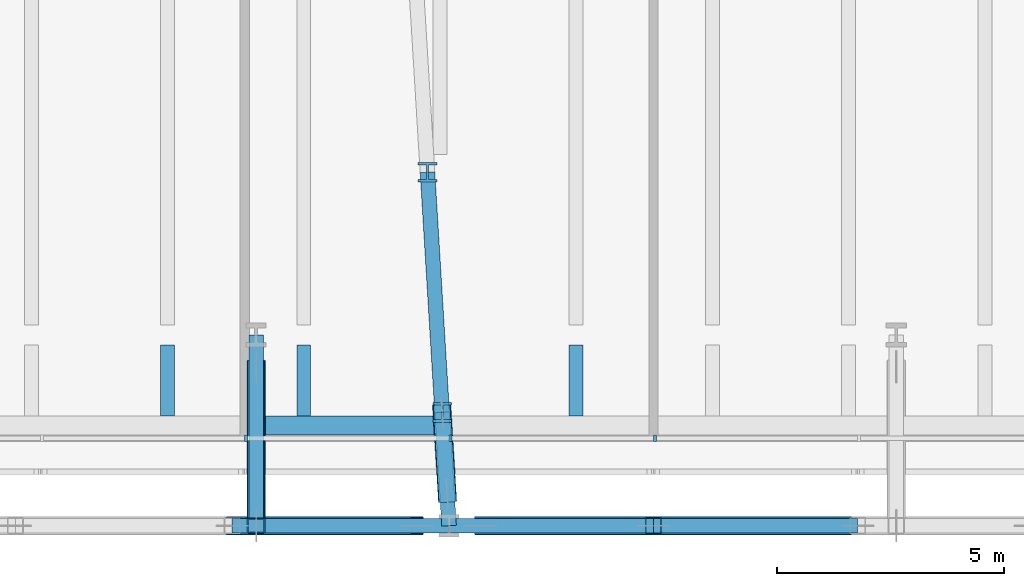
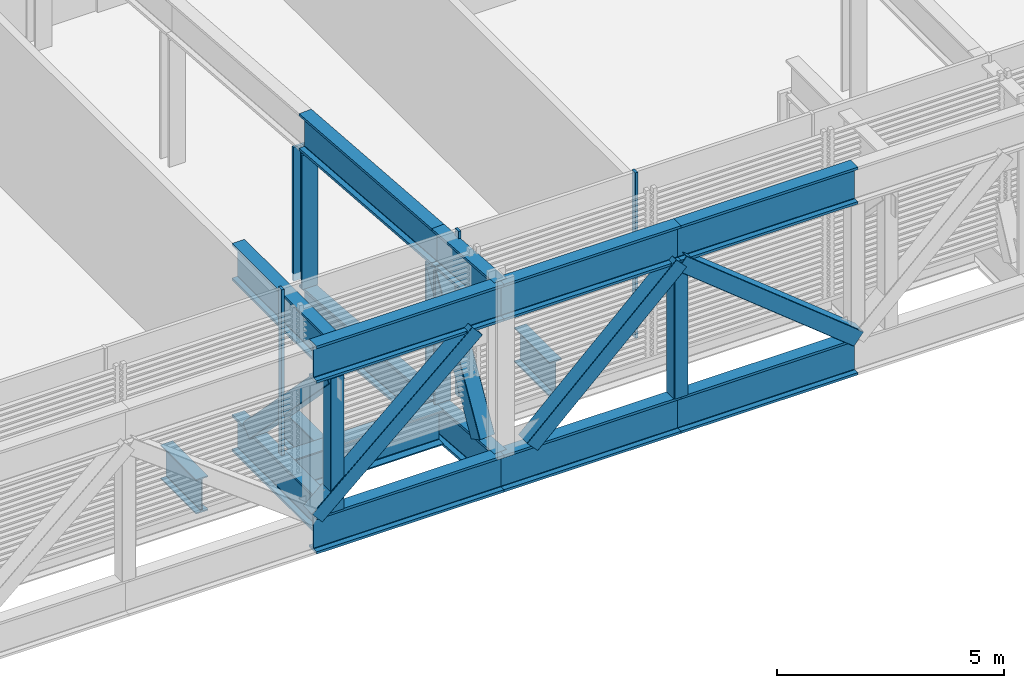
# One storey, part 3 of 29: 16 beams, 12 members, 1 element without a shape of its own.
"""IFC4 building model written with IfcOpenShell, lengths in metres."""

import ifcopenshell
import ifcopenshell.guid

model = None  # the IFC model being written
_history = None  # IfcOwnerHistory: only IFC2X3 demands one
_inside = {}  # id of a spatial element -> (the spatial element, [elements in it])
_under = {}  # id of a project, library or spatial element -> (it, [spatial elements below it])
_declared = {}  # id of a project -> (the project, [libraries it declares])
_typed = {}  # id of a type object -> (the type object, [elements of that type])
_made_of = {}  # id of a material, layer set ... -> (it, [elements and type objects made of it])


def new_model(schema):
    """Start an empty IFC model of exactly this schema.

    Asked for "IFC4X3", IfcOpenShell would pick the latest addendum, in which some entities
    have other attributes; the version numbers below select the first issue.
    IFC2X3 requires an IfcOwnerHistory on every rooted entity: one is made here for all.
    """
    global model, _history
    if schema == "IFC4X3":
        model = ifcopenshell.file(schema_version=(4, 3, 0, 0))
    else:
        model = ifcopenshell.file(schema=schema)
    _inside.clear()
    _under.clear()
    _declared.clear()
    _typed.clear()
    _made_of.clear()
    _history = None
    if model.schema == "IFC2X3":
        org = make("IfcOrganization", Name="unknown")
        user = make(
            "IfcPersonAndOrganization",
            ThePerson=make("IfcPerson", FamilyName="unknown"),
            TheOrganization=org,
        )
        app = make(
            "IfcApplication",
            ApplicationDeveloper=org,
            Version="unknown",
            ApplicationFullName="unknown",
            ApplicationIdentifier="unknown",
        )
        _history = make(
            "IfcOwnerHistory",
            OwningUser=user,
            OwningApplication=app,
            ChangeAction="ADDED",
            CreationDate=0,
        )
    return model


def make(cls, **values):
    """One entity of the class cls with the attributes given. An attribute that is None is left unset."""
    return model.create_entity(
        cls, **{name: value for name, value in values.items() if value is not None}
    )


def rooted(cls, **values):
    """An entity with a GlobalId (a new one), such as an element, a storey or a relation."""
    return make(cls, GlobalId=ifcopenshell.guid.new(), OwnerHistory=_history, **values)


def si_unit(unit_type, name, prefix=None):
    """IfcSIUnit, for example si_unit("LENGTHUNIT", "METRE", prefix="MILLI")."""
    return make("IfcSIUnit", UnitType=unit_type, Prefix=prefix, Name=name)


def assignment(units):
    """IfcUnitAssignment: the units of a project."""
    return None if units is None else make("IfcUnitAssignment", Units=units)


def point(xyz):
    """IfcCartesianPoint."""
    return None if xyz is None else make("IfcCartesianPoint", Coordinates=xyz)


def direction(xyz):
    """IfcDirection."""
    return None if xyz is None else make("IfcDirection", DirectionRatios=xyz)


def frame(location, z_axis=None, x_axis=None):
    """IfcAxis2Placement3D, a coordinate frame: its origin and axes. An axis left out is left unset."""
    return make(
        "IfcAxis2Placement3D",
        Location=point(location),
        Axis=direction(z_axis),
        RefDirection=direction(x_axis),
    )


def frame_2d(location, x_axis=None):
    """IfcAxis2Placement2D, a coordinate frame in the plane: its origin and x axis."""
    return make(
        "IfcAxis2Placement2D", Location=point(location), RefDirection=direction(x_axis)
    )


def origin():
    """The frame at (0, 0, 0) with its axes left unset."""
    return frame((0.0, 0.0, 0.0))


def origin_2d():
    """The frame at (0, 0) in the plane with its x axis left unset."""
    return frame_2d((0.0, 0.0))


def place(relative_to, where):
    """IfcLocalPlacement: puts the frame where relative to a parent placement (None: the world)."""
    return make(
        "IfcLocalPlacement", PlacementRelTo=relative_to, RelativePlacement=where
    )


def context(
    kind, dimensions, precision=None, world=None, true_north=None, identifier=None
):
    """IfcGeometricRepresentationContext, for example the 3D "Model" context."""
    return make(
        "IfcGeometricRepresentationContext",
        ContextIdentifier=identifier,
        ContextType=kind,
        CoordinateSpaceDimension=dimensions,
        Precision=precision,
        WorldCoordinateSystem=world,
        TrueNorth=true_north,
    )


def subcontext(parent, identifier, kind, view, scale=None):
    """IfcGeometricRepresentationSubContext, for example "Body" below "Model"."""
    return make(
        "IfcGeometricRepresentationSubContext",
        ContextIdentifier=identifier,
        ContextType=kind,
        ParentContext=parent,
        TargetScale=scale,
        TargetView=view,
    )


def project(units=None, contexts=None):
    """IfcProject with its units and contexts."""
    return rooted(
        "IfcProject",
        Name="project",
        RepresentationContexts=contexts,
        UnitsInContext=assignment(units),
    )


def spatial(cls, under=None, at=None, **own):
    """A site, building, storey or space (cls), placed at a placement, below another one or the project."""
    s = rooted(cls, ObjectPlacement=at, **own)
    if under is not None:
        _under.setdefault(under.id(), (under, []))[1].append(s)
    return s


def profile(cls, at=None, kind="AREA", **sizes):
    """A parametric profile (cls). Its sizes go by their IFC names, for example OverallWidth=200.0."""
    return make(cls, ProfileType=kind, Position=at, **sizes)


def rectangle(**sizes):
    """IfcRectangleProfileDef."""
    return profile("IfcRectangleProfileDef", **sizes)


def hollow_rectangle(**sizes):
    """IfcRectangleHollowProfileDef."""
    return profile("IfcRectangleHollowProfileDef", **sizes)


def i_section(**sizes):
    """IfcIShapeProfileDef."""
    return profile("IfcIShapeProfileDef", **sizes)


def extrude(swept, where, along, depth):
    """IfcExtrudedAreaSolid: the profile swept, set in the frame where, extruded along a direction by depth."""
    return make(
        "IfcExtrudedAreaSolid",
        SweptArea=swept,
        Position=where,
        ExtrudedDirection=direction(along),
        Depth=depth,
    )


def shape(context_of_items, identifier, shape_type, items):
    """IfcShapeRepresentation: the items that make up one representation, for example the "Body"."""
    return make(
        "IfcShapeRepresentation",
        ContextOfItems=context_of_items,
        RepresentationIdentifier=identifier,
        RepresentationType=shape_type,
        Items=items,
    )


def material(Name=None, Category=None):
    """IfcMaterial."""
    return make("IfcMaterial", Name=Name, Category=Category)


def layer(
    of_material, thickness, ventilated=None, Name=None, Category=None, Priority=None
):
    """IfcMaterialLayer: one layer of a wall or slab, of a material (None: an air gap)."""
    return make(
        "IfcMaterialLayer",
        Material=of_material,
        LayerThickness=thickness,
        IsVentilated=ventilated,
        Name=Name,
        Category=Category,
        Priority=Priority,
    )


def layer_set(layers, Name=None):
    """IfcMaterialLayerSet."""
    return make("IfcMaterialLayerSet", MaterialLayers=layers, LayerSetName=Name)


def material_profile(
    of_material, cross_section, Name=None, Category=None, Priority=None
):
    """IfcMaterialProfile: a cross section and its material."""
    return make(
        "IfcMaterialProfile",
        Name=Name,
        Material=of_material,
        Profile=cross_section,
        Priority=Priority,
        Category=Category,
    )


def profile_set(profiles, Name=None, composite=None):
    """IfcMaterialProfileSet."""
    return make(
        "IfcMaterialProfileSet",
        Name=Name,
        MaterialProfiles=profiles,
        CompositeProfile=composite,
    )


def made_of(thing, what):
    """Note that an element or type object is made of a material, layer set ...; save() writes the relation."""
    if what is not None:
        _made_of.setdefault(what.id(), (what, []))[1].append(thing)
    return thing


def type_object(cls, material=None, **own):
    """A type object (cls), such as IfcWallType, which elements share."""
    return made_of(rooted(cls, **own), material)


def element(
    cls,
    number,
    at=None,
    inside=None,
    cuts=None,
    type_object=None,
    material=None,
    context=None,
    identifier="Body",
    shape_type=None,
    held_by="IfcProductDefinitionShape",
    body=None,
    shapes=None,
    **own,
):
    """One element of the class cls, such as IfcWall. Its Tag is "e" and its number.

    at: its placement. inside: the storey or other place that contains it. cuts: it is an
    opening in that element (IfcRelVoidsElement). A single representation is given by context,
    identifier, shape_type and body (its items); several are given by shapes. held_by: the class
    of the entity that holds the representations. save() writes the other relations.
    """
    e = rooted(cls, Tag="e%d" % number, ObjectPlacement=at, **own)
    if body is not None:
        shapes = [shape(context, identifier, shape_type, body)]
    if shapes is not None:
        e.Representation = make(held_by, Representations=shapes)
    if inside is not None:
        _inside.setdefault(inside.id(), (inside, []))[1].append(e)
    if cuts is not None:
        rooted(
            "IfcRelVoidsElement", RelatingBuildingElement=cuts, RelatedOpeningElement=e
        )
    if type_object is not None:
        _typed.setdefault(type_object.id(), (type_object, []))[1].append(e)
    return made_of(e, material)


def aggregate(whole, parts):
    """IfcRelAggregates: a whole, such as a stair, and the parts it consists of."""
    return rooted("IfcRelAggregates", RelatingObject=whole, RelatedObjects=parts)


def save(model, path):
    """Write the relations noted so far, then the file.

    IfcRelAggregates (storeys below a building ...), IfcRelContainedInSpatialStructure (elements
    in a storey), IfcRelDefinesByType, IfcRelAssociatesMaterial and IfcRelDeclares: one each for
    every whole, place, type object, material and project.
    """
    for whole, parts in _under.values():
        aggregate(whole, parts)
    for where, things in _inside.values():
        rooted(
            "IfcRelContainedInSpatialStructure",
            RelatedElements=things,
            RelatingStructure=where,
        )
    for kind, things in _typed.values():
        rooted("IfcRelDefinesByType", RelatedObjects=things, RelatingType=kind)
    for what, things in _made_of.values():
        rooted("IfcRelAssociatesMaterial", RelatedObjects=things, RelatingMaterial=what)
    for by, libraries in _declared.values():
        rooted("IfcRelDeclares", RelatingContext=by, RelatedDefinitions=libraries)
    model.write(path)


model = new_model("IFC4")

# Units and contexts
model_context = context("Model", 3, precision=1e-05, world=origin(), true_north=direction((0.0, 1.0)))
body_context = subcontext(model_context, "Body", "Model", "MODEL_VIEW")
ifc_project = project(units=[si_unit("LENGTHUNIT", "METRE"), si_unit("AREAUNIT", "SQUARE_METRE"), si_unit("VOLUMEUNIT", "CUBIC_METRE"), si_unit("PLANEANGLEUNIT", "RADIAN"), si_unit("MASSUNIT", "GRAM", prefix="KILO")], contexts=[model_context])

# Site, building, storey
site_placement = place(None, origin())
site = spatial("IfcSite", under=ifc_project, at=site_placement, CompositionType="ELEMENT")
building_placement = place(site_placement, origin())
building = spatial("IfcBuilding", under=site, at=building_placement, Name="Millrace Tower", CompositionType="ELEMENT")
storey_placement = place(building_placement, frame((0.0, 0.0, 68.60009765625)))
storey = spatial("IfcBuildingStorey", under=building, at=storey_placement, Name="L15", CompositionType="ELEMENT", Elevation=68.60009765625)

# Curtain wall, members
ifc_material_1 = material(Name="Aluminium and glass", Category="aluminium")
ifc_layer = layer(ifc_material_1, 0.14990234375)
ifc_layer_set = layer_set([ifc_layer], Name="Aluminium and glass")
curtain_wall_type = type_object("IfcCurtainWallType", Name="CW-5 truss and plant storey louvred infill", PredefinedType="NOTDEFINED", material=ifc_layer_set)
curtain_wall_placement = place(storey_placement, origin())
curtain_wall = element("IfcCurtainWall", 1, at=curtain_wall_placement, inside=storey, type_object=curtain_wall_type, Name="Curtain wall B-F02 L15", PredefinedType="NOTDEFINED")
ifc_material_2 = material(Name="Aluminium", Category="aluminium")
ifc_material_profile_1 = material_profile(ifc_material_2, rectangle(XDim=0.06494140625, YDim=0.14990234375, at=origin_2d()))
ifc_profile_set_1 = profile_set([ifc_material_profile_1], Name="Aluminium")
member_type_1 = type_object("IfcMemberType", Name="CW-5 truss and plant storey louvred infill mullion", PredefinedType="MULLION", material=ifc_profile_set_1)
member_1_placement = place(storey_placement, frame((-7.267578125, -29.27490234375, 0.139892578125), z_axis=(0.0, 0.0, 1.0), x_axis=(1.0, 0.0, 0.0)))
member_1 = element("IfcMember", 2, at=member_1_placement, type_object=member_type_1, Name="CW5 mullion B-F02.3", PredefinedType="MULLION", context=body_context, shape_type="SweptSolid", body=[
    extrude(rectangle(XDim=0.06494140625, YDim=0.14990234375, at=origin_2d()), origin(), (0.0, 0.0, 1.0), 4.4599609375),
])
member_2_placement = place(storey_placement, frame((-2.767578125, -29.27490234375, 0.139892578125), z_axis=(0.0, 0.0, 1.0), x_axis=(1.0, 0.0, 0.0)))
member_2 = element("IfcMember", 3, at=member_2_placement, type_object=member_type_1, Name="CW5 mullion B-F02.4", PredefinedType="MULLION", context=body_context, shape_type="SweptSolid", body=[
    extrude(rectangle(XDim=0.06494140625, YDim=0.14990234375, at=origin_2d()), origin(), (0.0, 0.0, 1.0), 4.4599609375),
])
member_3_placement = place(storey_placement, frame((1.732421875, -29.27490234375, 0.139892578125), z_axis=(0.0, 0.0, 1.0), x_axis=(1.0, 0.0, 0.0)))
member_3 = element("IfcMember", 4, at=member_3_placement, type_object=member_type_1, Name="CW5 mullion B-F02.5", PredefinedType="MULLION", context=body_context, shape_type="SweptSolid", body=[
    extrude(rectangle(XDim=0.06494140625, YDim=0.14990234375, at=origin_2d()), origin(), (0.0, 0.0, 1.0), 4.4599609375),
])
aggregate(curtain_wall, [member_1, member_2, member_3])

# Beams
ifc_material_3 = material(Name="Steel ASTM A992 Grade 50", Category="steel")
ifc_material_profile_2 = material_profile(ifc_material_3, i_section(OverallWidth=0.307373046875, OverallDepth=0.927001953125, WebThickness=0.01953125, FlangeThickness=0.031982421875, FilletRadius=0.01904296875, at=origin_2d()))
ifc_profile_set_2 = profile_set([ifc_material_profile_2], Name="Steel ASTM A992 Grade 50")
beam_type_1 = type_object("IfcBeamType", Name="Floor beam W36x194", PredefinedType="JOIST", material=ifc_profile_set_2)
for number, where, z_axis, x_axis, name in (
    (5, (-9.0, -28.781005859375, -0.66357421875), (0.0, 1.0, 0.0), (-1.0, 0.0, 0.0), "BM-B-L15-S1-S043-a"),
    (6, (-6.0, -28.781005859375, -0.66357421875), (0.0, 1.0, 0.0), (-1.0, 0.0, 0.0), "BM-B-L15-S1-S045-a"),
    (7, (0.0, -28.781005859375, -0.66357421875), (0.0, 1.0, 0.0), (-1.0, 0.0, 0.0), "BM-B-L15-S1-S049-a"),
):
    element("IfcBeam", number, at=place(storey_placement, frame(where, z_axis=z_axis, x_axis=x_axis)), inside=storey, type_object=beam_type_1, Name=name, PredefinedType="JOIST", context=body_context, shape_type="SweptSolid", body=[
        extrude(i_section(OverallWidth=0.307373046875, OverallDepth=0.927001953125, WebThickness=0.01953125, FlangeThickness=0.031982421875, FilletRadius=0.01904296875, at=origin_2d()), origin(), (0.0, 0.0, 1.0), 1.560791015625),
    ])
ifc_material_4 = material(Name="Steel ASTM A992 Grade 50", Category="steel")
ifc_material_profile_3 = material_profile(ifc_material_4, i_section(OverallWidth=0.419189453125, OverallDepth=0.927001953125, WebThickness=0.019287109375, FlangeThickness=0.031982421875, FilletRadius=0.024169921875, at=origin_2d()))
ifc_profile_set_3 = profile_set([ifc_material_profile_3], Name="Steel ASTM A992 Grade 50")
beam_type_2 = type_object("IfcBeamType", Name="Ring beam short span W36x231", PredefinedType="SPANDREL", material=ifc_profile_set_3)
beam_placement = place(storey_placement, frame((-3.096435546875, -28.990478515625, -0.66357421875), z_axis=(-1.0, 0.0, 0.0), x_axis=(0.0, -1.0, 0.0)))
element("IfcBeam", 8, at=beam_placement, inside=storey, type_object=beam_type_2, Name="RNG-B-L15-S1-15-a", PredefinedType="SPANDREL", context=body_context, shape_type="SweptSolid", body=[
    extrude(i_section(OverallWidth=0.419189453125, OverallDepth=0.927001953125, WebThickness=0.019287109375, FlangeThickness=0.031982421875, FilletRadius=0.024169921875, at=origin_2d()), origin(), (0.0, 0.0, 1.0), 3.790771484375),
])

# Members
ifc_material_5 = material(Name="Steel ASTM A992 Grade 50", Category="steel")
ifc_material_profile_4 = material_profile(ifc_material_5, i_section(OverallWidth=0.411376953125, OverallDepth=0.434326171875, WebThickness=0.035888671875, FlangeThickness=0.057373046875, FilletRadius=0.01513671875, at=origin_2d()))
ifc_profile_set_4 = profile_set([ifc_material_profile_4], Name="Steel ASTM A992 Grade 50")
member_type_2 = type_object("IfcMemberType", Name="Transfer truss Vierendeel moment post W14x311", PredefinedType="POST", material=ifc_profile_set_4)
for number, where, z_axis, x_axis, name in (
    (9, (-2.952392578125, -28.70458984375, -0.2001953125), (0.0, 0.0, 1.0), (1.0, 0.0, 0.0), "TRS-L15-C03-V01"),
    (10, (-3.275146484375, -23.41455078125, -0.2001953125), (0.0, 0.0, 1.0), (1.0, 0.0, 0.0), "TRS-L15-C03-V02"),
):
    element("IfcMember", number, at=place(storey_placement, frame(where, z_axis=z_axis, x_axis=x_axis)), inside=storey, type_object=member_type_2, Name=name, PredefinedType="POST", context=body_context, shape_type="SweptSolid", body=[
        extrude(i_section(OverallWidth=0.411376953125, OverallDepth=0.434326171875, WebThickness=0.035888671875, FlangeThickness=0.057373046875, FilletRadius=0.01513671875, at=origin_2d()), origin(), (0.0, 0.0, 1.0), 3.60693359375),
    ])

# Beams
ifc_material_6 = material(Name="Steel ASTM A992 Grade 50", Category="steel")
ifc_material_profile_5 = material_profile(ifc_material_6, i_section(OverallWidth=0.322509765625, OverallDepth=0.9931640625, WebThickness=0.0361328125, FlangeThickness=0.06494140625, FilletRadius=0.01904296875, at=origin_2d()))
ifc_profile_set_5 = profile_set([ifc_material_profile_5], Name="Steel ASTM A992 Grade 50")
beam_type_3 = type_object("IfcBeamType", Name="Transfer truss chord W36x387", PredefinedType="BEAM", material=ifc_profile_set_5)
for number, where, z_axis, x_axis, name in (
    (11, (-7.576171875, -31.199951171875, -0.69677734375), (1.0, 0.0, 0.0), (0.0, 1.0, 0.0), "TRS-L15-R02-B03"),
    (12, (-7.576171875, -31.199951171875, 3.9033203125), (1.0, 0.0, 0.0), (0.0, 1.0, 0.0), "TRS-L15-R02-T03"),
):
    element("IfcBeam", number, at=place(storey_placement, frame(where, z_axis=z_axis, x_axis=x_axis)), inside=storey, type_object=beam_type_3, Name=name, PredefinedType="BEAM", context=body_context, shape_type="SweptSolid", body=[
        extrude(i_section(OverallWidth=0.322509765625, OverallDepth=0.9931640625, WebThickness=0.0361328125, FlangeThickness=0.06494140625, FilletRadius=0.01904296875, at=origin_2d()), origin(), (0.0, 0.0, 1.0), 4.776123046875),
    ])
for number, where, z_axis, x_axis, name in (
    (13, (-2.800048828125, -31.199951171875, -0.69677734375), (1.0, 0.0, 0.0), (0.0, 1.0, 0.0), "TRS-L15-R03-B01"),
    (14, (-2.800048828125, -31.199951171875, 3.9033203125), (1.0, 0.0, 0.0), (0.0, 1.0, 0.0), "TRS-L15-R03-T01"),
    (15, (1.699951171875, -31.199951171875, -0.69677734375), (1.0, 0.0, 0.0), (0.0, 1.0, 0.0), "TRS-L15-R03-B02"),
    (16, (1.699951171875, -31.199951171875, 3.9033203125), (1.0, 0.0, 0.0), (0.0, 1.0, 0.0), "TRS-L15-R03-T02"),
):
    element("IfcBeam", number, at=place(storey_placement, frame(where, z_axis=z_axis, x_axis=x_axis)), inside=storey, type_object=beam_type_3, Name=name, PredefinedType="BEAM", context=body_context, shape_type="SweptSolid", body=[
        extrude(i_section(OverallWidth=0.322509765625, OverallDepth=0.9931640625, WebThickness=0.0361328125, FlangeThickness=0.06494140625, FilletRadius=0.01904296875, at=origin_2d()), origin(), (0.0, 0.0, 1.0), 4.5),
    ])
for number, where, z_axis, x_axis, name in (
    (17, (-2.800048828125, -31.199951171875, -0.69677734375), (-0.060937320717, 0.998141594637, 0.0), (-0.998141594637, -0.060937320717, 0.0), "TRS-L15-C03-B01"),
    (18, (-2.800048828125, -31.199951171875, 3.9033203125), (-0.060937320717, 0.998141594637, 0.0), (-0.998141594637, -0.060937320717, 0.0), "TRS-L15-C03-T01"),
):
    element("IfcBeam", number, at=place(storey_placement, frame(where, z_axis=z_axis, x_axis=x_axis)), inside=storey, type_object=beam_type_3, Name=name, PredefinedType="BEAM", context=body_context, shape_type="SweptSolid", body=[
        extrude(i_section(OverallWidth=0.322509765625, OverallDepth=0.9931640625, WebThickness=0.0361328125, FlangeThickness=0.06494140625, FilletRadius=0.01904296875, at=origin_2d()), origin(), (0.0, 0.0, 1.0), 2.5),
    ])
for number, where, z_axis, x_axis, name in (
    (19, (-2.952392578125, -28.70458984375, -0.69677734375), (-0.060898390673, 0.998143970584, 0.0), (-0.998143970584, -0.060898390673, 0.0), "TRS-L15-C03-B02"),
    (20, (-2.952392578125, -28.70458984375, 3.9033203125), (-0.060898390673, 0.998143970584, 0.0), (-0.998143970584, -0.060898390673, 0.0), "TRS-L15-C03-T02"),
):
    element("IfcBeam", number, at=place(storey_placement, frame(where, z_axis=z_axis, x_axis=x_axis)), inside=storey, type_object=beam_type_3, Name=name, PredefinedType="BEAM", context=body_context, shape_type="SweptSolid", body=[
        extrude(i_section(OverallWidth=0.322509765625, OverallDepth=0.9931640625, WebThickness=0.0361328125, FlangeThickness=0.06494140625, FilletRadius=0.01904296875, at=origin_2d()), origin(), (0.0, 0.0, 1.0), 5.2998046875),
    ])
for number, where, z_axis, x_axis, name in (
    (21, (-7.050048828125, -27.0, -0.69677734375), (0.0, -1.0, 0.0), (1.0, 0.0, 0.0), "TRS-L15-B-A-X03-B01"),
    (22, (-7.050048828125, -27.0, 3.9033203125), (0.0, -1.0, 0.0), (1.0, 0.0, 0.0), "TRS-L15-B-A-X03-T01"),
):
    element("IfcBeam", number, at=place(storey_placement, frame(where, z_axis=z_axis, x_axis=x_axis)), inside=storey, type_object=beam_type_3, Name=name, PredefinedType="BEAM", context=body_context, shape_type="SweptSolid", body=[
        extrude(i_section(OverallWidth=0.322509765625, OverallDepth=0.9931640625, WebThickness=0.0361328125, FlangeThickness=0.06494140625, FilletRadius=0.01904296875, at=origin_2d()), origin(), (0.0, 0.0, 1.0), 4.038818359375),
    ])

# Members
ifc_material_7 = material(Name="Steel ASTM A500 Grade C", Category="steel")
ifc_material_profile_6 = material_profile(ifc_material_7, hollow_rectangle(XDim=0.406494140625, YDim=0.406494140625, WallThickness=0.015869140625, InnerFilletRadius=0.008056640625, OuterFilletRadius=0.02392578125, at=origin_2d()))
ifc_profile_set_6 = profile_set([ifc_material_profile_6], Name="Steel ASTM A500 Grade C")
member_type_3 = type_object("IfcMemberType", Name="Transfer truss diagonal HSS16x16x5/8", PredefinedType="BRACE", material=ifc_profile_set_6)
member_4_placement = place(storey_placement, frame((-7.576171875, -31.199951171875, -0.2001953125), z_axis=(0.748897240511, 0.0, 0.662686142268), x_axis=(0.0, 1.0, 0.0)))
element("IfcMember", 23, at=member_4_placement, inside=storey, type_object=member_type_3, Name="TRS-L15-R02-D03", PredefinedType="BRACE", context=body_context, shape_type="SweptSolid", body=[
    extrude(hollow_rectangle(XDim=0.406494140625, YDim=0.406494140625, WallThickness=0.015869140625, InnerFilletRadius=0.008056640625, OuterFilletRadius=0.02392578125, at=origin_2d()), origin(), (0.0, 0.0, 1.0), 5.44287109375),
])
member_5_placement = place(storey_placement, frame((-2.10009765625, -31.199951171875, -0.2001953125), z_axis=(0.72529603748, 0.0, 0.688437112607), x_axis=(0.0, 1.0, 0.0)))
element("IfcMember", 24, at=member_5_placement, inside=storey, type_object=member_type_3, Name="TRS-L15-R03-D01", PredefinedType="BRACE", context=body_context, shape_type="SweptSolid", body=[
    extrude(hollow_rectangle(XDim=0.406494140625, YDim=0.406494140625, WallThickness=0.015869140625, InnerFilletRadius=0.008056640625, OuterFilletRadius=0.02392578125, at=origin_2d()), origin(), (0.0, 0.0, 1.0), 5.2392578125),
])
member_6_placement = place(storey_placement, frame((6.199951171875, -31.199951171875, -0.2001953125), z_axis=(-0.780281998298, 0.0, 0.625427856057), x_axis=(0.0, -1.0, 0.0)))
element("IfcMember", 25, at=member_6_placement, inside=storey, type_object=member_type_3, Name="TRS-L15-R03-D02", PredefinedType="BRACE", context=body_context, shape_type="SweptSolid", body=[
    extrude(hollow_rectangle(XDim=0.406494140625, YDim=0.406494140625, WallThickness=0.015869140625, InnerFilletRadius=0.008056640625, OuterFilletRadius=0.02392578125, at=origin_2d()), origin(), (0.0, 0.0, 1.0), 5.76708984375),
])
member_7_placement = place(storey_placement, frame((-2.842529296875, -30.501220703125, -0.2001953125), z_axis=(-0.02725379099, 0.445690328657, 0.894772240192), x_axis=(-0.998135589464, -0.061035604737, 0.0)))
element("IfcMember", 26, at=member_7_placement, inside=storey, type_object=member_type_3, Name="TRS-L15-C03-D01", PredefinedType="BRACE", context=body_context, shape_type="SweptSolid", body=[
    extrude(hollow_rectangle(XDim=0.406494140625, YDim=0.406494140625, WallThickness=0.015869140625, InnerFilletRadius=0.008056640625, OuterFilletRadius=0.02392578125, at=origin_2d()), origin(), (0.0, 0.0, 1.0), 4.031005859375),
])
member_8_placement = place(storey_placement, frame((-7.050048828125, -27.699951171875, -0.2001953125), z_axis=(0.0, -0.69638856238, 0.717664942843), x_axis=(1.0, 0.0, 0.0)))
element("IfcMember", 27, at=member_8_placement, inside=storey, type_object=member_type_3, Name="TRS-L15-B-A-X03-D01", PredefinedType="BRACE", context=body_context, shape_type="SweptSolid", body=[
    extrude(hollow_rectangle(XDim=0.406494140625, YDim=0.406494140625, WallThickness=0.015869140625, InnerFilletRadius=0.008056640625, OuterFilletRadius=0.02392578125, at=origin_2d()), origin(), (0.0, 0.0, 1.0), 5.02587890625),
])
ifc_material_8 = material(Name="Steel ASTM A500 Grade C", Category="steel")
ifc_material_profile_7 = material_profile(ifc_material_8, hollow_rectangle(XDim=0.355712890625, YDim=0.355712890625, WallThickness=0.015869140625, InnerFilletRadius=0.008056640625, OuterFilletRadius=0.02392578125, at=origin_2d()))
ifc_profile_set_7 = profile_set([ifc_material_profile_7], Name="Steel ASTM A500 Grade C")
member_type_4 = type_object("IfcMemberType", Name="Transfer truss post HSS14x14x5/8", PredefinedType="POST", material=ifc_profile_set_7)
for number, where, z_axis, x_axis, name in (
    (28, (1.699951171875, -31.199951171875, -0.2001953125), (0.0, 0.0, 1.0), (1.0, 0.0, 0.0), "TRS-L15-R03-V01"),
    (29, (-7.050048828125, -31.199951171875, -0.2001953125), (0.0, 0.0, 1.0), (1.0, 0.0, 0.0), "TRS-L15-B-A-X03-V01"),
):
    element("IfcMember", number, at=place(storey_placement, frame(where, z_axis=z_axis, x_axis=x_axis)), inside=storey, type_object=member_type_4, Name=name, PredefinedType="POST", context=body_context, shape_type="SweptSolid", body=[
        extrude(hollow_rectangle(XDim=0.355712890625, YDim=0.355712890625, WallThickness=0.015869140625, InnerFilletRadius=0.008056640625, OuterFilletRadius=0.02392578125, at=origin_2d()), origin(), (0.0, 0.0, 1.0), 3.60693359375),
    ])

save(model, "model.ifc")
